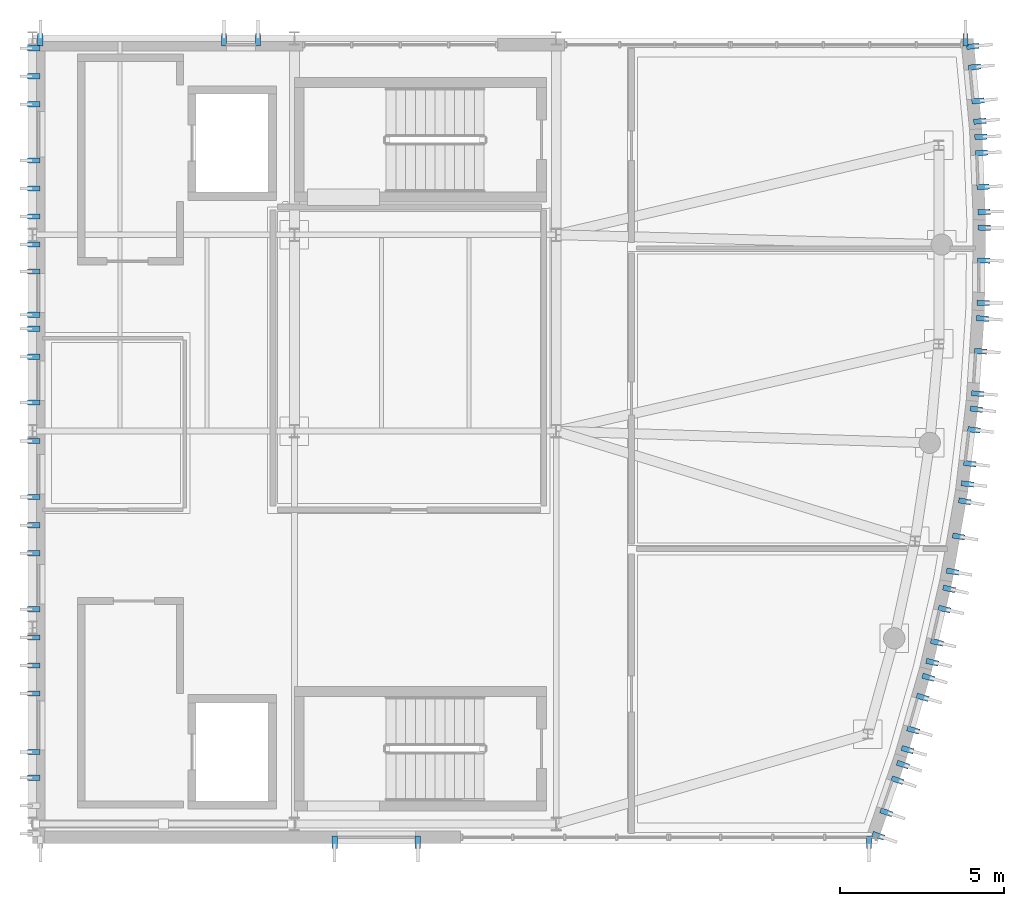
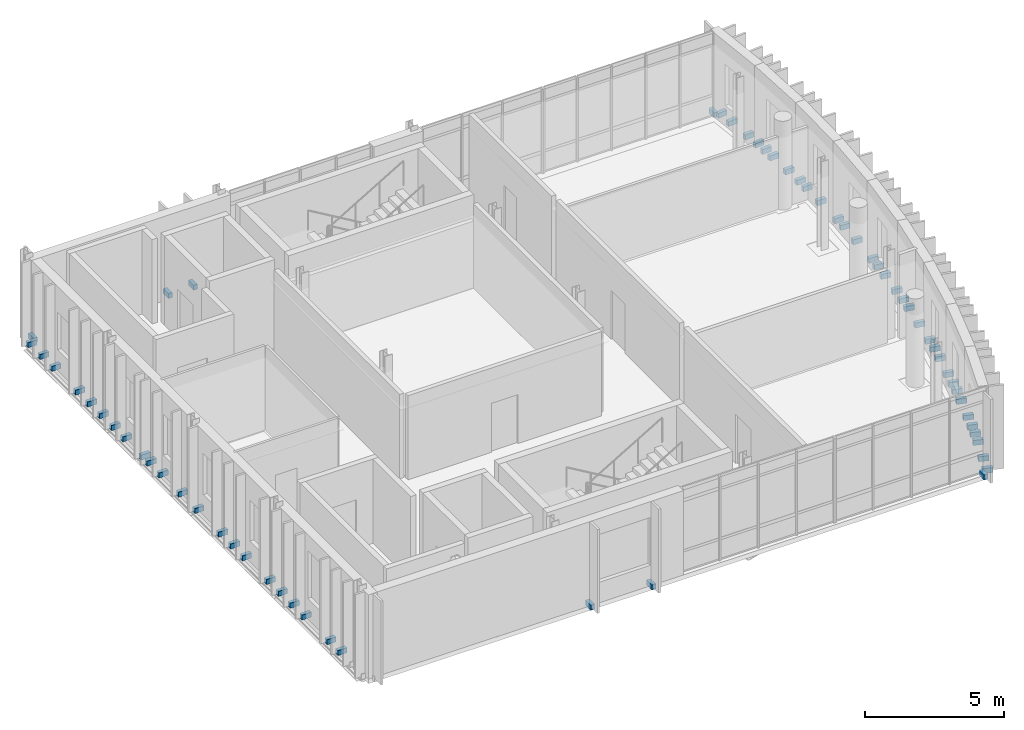
# One storey, part 8 of 10: 62 discrete accessories.
"""IFC4 building model written with IfcOpenShell, lengths in metres."""

from ifc_helpers import new_model, si_unit, direction, frame, origin, origin_2d, place, context, subcontext, project, spatial, rectangle, extrude, material, type_object, element, save


model = new_model("IFC4")

# Units and contexts
model_context = context("Model", 3, precision=1e-05, world=origin(), true_north=direction((0.0, 1.0)))
body_context = subcontext(model_context, "Body", "Model", "MODEL_VIEW")
ifc_project = project(units=[si_unit("LENGTHUNIT", "METRE"), si_unit("AREAUNIT", "SQUARE_METRE"), si_unit("VOLUMEUNIT", "CUBIC_METRE"), si_unit("PLANEANGLEUNIT", "RADIAN"), si_unit("MASSUNIT", "GRAM", prefix="KILO")], contexts=[model_context])

# Site, building, storey
site_placement = place(None, origin())
site = spatial("IfcSite", under=ifc_project, at=site_placement, CompositionType="ELEMENT")
building_placement = place(site_placement, origin())
building = spatial("IfcBuilding", under=site, at=building_placement, Name="Cymarion Research Institute", CompositionType="ELEMENT")
storey_placement = place(building_placement, frame((0.0, 0.0, 38.39990234375)))
storey = spatial("IfcBuildingStorey", under=building, at=storey_placement, Name="L09", CompositionType="ELEMENT", Elevation=38.39990234375)

# Discrete accessories
ifc_material = material(Name="Steel S355", Category="steel")
discrete_accessory_type = type_object("IfcDiscreteAccessoryType", Name="STAINLESS STEEL FACADE FIN BRACKET FBK1", PredefinedType="BRACKET", material=ifc_material)
for number, where, z_axis, x_axis, name in (
    (1, (147.8310546875, 4.93994140625, -0.08984375), (0.0, 0.0, 1.0), (0.0, -1.0, 0.0), "L09 V1 precast fin anchor bracket #798"),
    (2, (150.37109375, 4.93994140625, -0.08984375), (0.0, 0.0, 1.0), (0.0, -1.0, 0.0), "L09 V1 precast fin anchor bracket #799"),
    (3, (164.159912109375, 4.93994140625, -0.08984375), (0.0, 0.0, 1.0), (0.0, -1.0, 0.0), "L09 V1 precast fin anchor bracket #800"),
    (4, (164.440673828125, 5.139892578125, -0.08984375), (0.0, 0.0, 1.0), (0.945120113509, -0.326723080054, 0.0), "L09 V1 precast fin anchor bracket #801"),
    (5, (164.6875, 5.85400390625, -0.08984375), (0.0, 0.0, 1.0), (0.945120113509, -0.326723080054, 0.0), "L09 V1 precast fin anchor bracket #802"),
    (6, (165.02734375, 6.8369140625, -0.08984375), (0.0, 0.0, 1.0), (0.945120113509, -0.326723080054, 0.0), "L09 V1 precast fin anchor bracket #803"),
    (7, (165.19189453125, 7.31298828125, -0.08984375), (0.0, 0.0, 1.0), (0.945120113509, -0.326723080054, 0.0), "L09 V1 precast fin anchor bracket #804"),
    (8, (165.3359375, 7.768310546875, -0.08984375), (0.0, 0.0, 1.0), (0.961213573504, -0.275805123434, 0.0), "L09 V1 precast fin anchor bracket #805"),
    (9, (165.508056640625, 8.3681640625, -0.08984375), (0.0, 0.0, 1.0), (0.961213573504, -0.275805123434, 0.0), "L09 V1 precast fin anchor bracket #806"),
    (10, (165.794921875, 9.367919921875, -0.08984375), (0.0, 0.0, 1.0), (0.961213573504, -0.275805123434, 0.0), "L09 V1 precast fin anchor bracket #807"),
    (11, (165.97021484375, 9.978515625, -0.08984375), (0.0, 0.0, 1.0), (0.961213573504, -0.275805123434, 0.0), "L09 V1 precast fin anchor bracket #808"),
    (12, (166.089599609375, 10.44091796875, -0.08984375), (0.0, 0.0, 1.0), (0.974566000575, -0.224100670509, 0.0), "L09 V1 precast fin anchor bracket #809"),
    (13, (166.2294921875, 11.049072265625, -0.08984375), (0.0, 0.0, 1.0), (0.974566000575, -0.224100670509, 0.0), "L09 V1 precast fin anchor bracket #810"),
    (14, (166.46240234375, 12.062744140625, -0.08984375), (0.0, 0.0, 1.0), (0.974566000575, -0.224100670509, 0.0), "L09 V1 precast fin anchor bracket #811"),
    (15, (166.604736328125, 12.681640625, -0.08984375), (0.0, 0.0, 1.0), (0.974566000575, -0.224100670509, 0.0), "L09 V1 precast fin anchor bracket #812"),
    (16, (166.709716796875, 13.208984375, -0.08984375), (0.0, 0.0, 1.0), (0.985139318439, -0.171757163649, 0.0), "L09 V1 precast fin anchor bracket #813"),
    (17, (166.896728515625, 14.282470703125, -0.08984375), (0.0, 0.0, 1.0), (0.985139318439, -0.171757163649, 0.0), "L09 V1 precast fin anchor bracket #814"),
    (18, (167.083740234375, 15.35595703125, -0.08984375), (0.0, 0.0, 1.0), (0.985139318439, -0.171757163649, 0.0), "L09 V1 precast fin anchor bracket #815"),
    (19, (167.16357421875, 15.8876953125, -0.08984375), (0.0, 0.0, 1.0), (0.992924116831, -0.118750571435, 0.0), "L09 V1 precast fin anchor bracket #816"),
    (20, (167.237548828125, 16.507080078125, -0.08984375), (0.0, 0.0, 1.0), (0.992924116831, -0.118750571435, 0.0), "L09 V1 precast fin anchor bracket #817"),
    (21, (167.361083984375, 17.539794921875, -0.08984375), (0.0, 0.0, 1.0), (0.992924116831, -0.118750571435, 0.0), "L09 V1 precast fin anchor bracket #818"),
    (22, (167.436767578125, 18.170654296875, -0.08984375), (0.0, 0.0, 1.0), (0.992924116831, -0.118750571435, 0.0), "L09 V1 precast fin anchor bracket #819"),
    (23, (167.480712890625, 18.646240234375, -0.08984375), (0.0, 0.0, 1.0), (0.997847493041, -0.06557728747, 0.0), "L09 V1 precast fin anchor bracket #820"),
    (24, (167.565673828125, 19.9404296875, -0.08984375), (0.0, 0.0, 1.0), (0.997847493041, -0.06557728747, 0.0), "L09 V1 precast fin anchor bracket #821"),
    (25, (167.631591796875, 20.940673828125, -0.08984375), (0.0, 0.0, 1.0), (0.997847493041, -0.06557728747, 0.0), "L09 V1 precast fin anchor bracket #822"),
    (26, (167.64990234375, 21.41796875, -0.08984375), (0.0, 0.0, 1.0), (0.99992536966, -0.012217000835, 0.0), "L09 V1 precast fin anchor bracket #823"),
    (27, (167.665771484375, 22.7119140625, -0.08984375), (0.0, 0.0, 1.0), (0.99992536966, -0.012217000835, 0.0), "L09 V1 precast fin anchor bracket #824"),
    (28, (167.677978515625, 23.716796875, -0.08984375), (0.0, 0.0, 1.0), (0.99992536966, -0.012217000835, 0.0), "L09 V1 precast fin anchor bracket #825"),
    (29, (167.671142578125, 24.194580078125, -0.08984375), (0.0, 0.0, 1.0), (0.999144619181, 0.041352508522, 0.0), "L09 V1 precast fin anchor bracket #826"),
    (30, (167.639404296875, 24.96484375, -0.08984375), (0.0, 0.0, 1.0), (0.999144619181, 0.041352508522, 0.0), "L09 V1 precast fin anchor bracket #827"),
    (31, (167.596435546875, 26.00390625, -0.08984375), (0.0, 0.0, 1.0), (0.999144619181, 0.041352508522, 0.0), "L09 V1 precast fin anchor bracket #828"),
    (32, (167.576171875, 26.49169921875, -0.08984375), (0.0, 0.0, 1.0), (0.999144619181, 0.041352508522, 0.0), "L09 V1 precast fin anchor bracket #829"),
    (33, (167.543701171875, 26.96826171875, -0.08984375), (0.0, 0.0, 1.0), (0.995512553138, 0.09462957542, 0.0), "L09 V1 precast fin anchor bracket #830"),
    (34, (167.48486328125, 27.589599609375, -0.08984375), (0.0, 0.0, 1.0), (0.995512553138, 0.09462957542, 0.0), "L09 V1 precast fin anchor bracket #831"),
    (35, (167.386474609375, 28.625, -0.08984375), (0.0, 0.0, 1.0), (0.995512553138, 0.09462957542, 0.0), "L09 V1 precast fin anchor bracket #832"),
    (36, (167.326416015625, 29.25732421875, -0.08984375), (0.0, 0.0, 1.0), (0.995512553138, 0.09462957542, 0.0), "L09 V1 precast fin anchor bracket #833"),
    (37, (167.103515625, 29.4599609375, -0.08984375), (0.0, 0.0, 1.0), (0.0, 1.0, 0.0), "L09 V1 precast fin anchor bracket #834"),
    (38, (145.489013671875, 29.4599609375, -0.08984375), (0.0, 0.0, 1.0), (0.0, 1.0, 0.0), "L09 V1 precast fin anchor bracket #835"),
    (39, (144.448974609375, 29.4599609375, -0.08984375), (0.0, 0.0, 1.0), (0.0, 1.0, 0.0), "L09 V1 precast fin anchor bracket #836"),
    (40, (138.840087890625, 29.4599609375, -0.08984375), (0.0, 0.0, 1.0), (0.0, 1.0, 0.0), "L09 V1 precast fin anchor bracket #837"),
    (41, (138.639892578125, 29.199951171875, -0.08984375), (0.0, 0.0, 1.0), (-1.0, 0.0, 0.0), "L09 V1 precast fin anchor bracket #838"),
    (42, (138.639892578125, 28.343017578125, -0.08984375), (0.0, 0.0, 1.0), (-1.0, 0.0, 0.0), "L09 V1 precast fin anchor bracket #839"),
    (43, (138.639892578125, 27.485595703125, -0.08984375), (0.0, 0.0, 1.0), (-1.0, 0.0, 0.0), "L09 V1 precast fin anchor bracket #840"),
    (44, (138.639892578125, 25.771484375, -0.08984375), (0.0, 0.0, 1.0), (-1.0, 0.0, 0.0), "L09 V1 precast fin anchor bracket #841"),
    (45, (138.639892578125, 24.914306640625, -0.08984375), (0.0, 0.0, 1.0), (-1.0, 0.0, 0.0), "L09 V1 precast fin anchor bracket #842"),
    (46, (138.639892578125, 24.05712890625, -0.08984375), (0.0, 0.0, 1.0), (-1.0, 0.0, 0.0), "L09 V1 precast fin anchor bracket #843"),
    (47, (138.639892578125, 23.199951171875, -0.08984375), (0.0, 0.0, 1.0), (-1.0, 0.0, 0.0), "L09 V1 precast fin anchor bracket #844"),
    (48, (138.639892578125, 22.3798828125, -0.08984375), (0.0, 0.0, 1.0), (-1.0, 0.0, 0.0), "L09 V1 precast fin anchor bracket #845"),
    (49, (138.639892578125, 21.06005859375, -0.08984375), (0.0, 0.0, 1.0), (-1.0, 0.0, 0.0), "L09 V1 precast fin anchor bracket #846"),
    (50, (138.639892578125, 20.628662109375, -0.08984375), (0.0, 0.0, 1.0), (-1.0, 0.0, 0.0), "L09 V1 precast fin anchor bracket #847"),
    (51, (138.639892578125, 19.771484375, -0.08984375), (0.0, 0.0, 1.0), (-1.0, 0.0, 0.0), "L09 V1 precast fin anchor bracket #848"),
    (52, (138.639892578125, 18.3798828125, -0.08984375), (0.0, 0.0, 1.0), (-1.0, 0.0, 0.0), "L09 V1 precast fin anchor bracket #849"),
    (53, (138.639892578125, 17.199951171875, -0.08984375), (0.0, 0.0, 1.0), (-1.0, 0.0, 0.0), "L09 V1 precast fin anchor bracket #850"),
    (54, (138.639892578125, 15.485595703125, -0.08984375), (0.0, 0.0, 1.0), (-1.0, 0.0, 0.0), "L09 V1 precast fin anchor bracket #851"),
    (55, (138.639892578125, 14.628662109375, -0.08984375), (0.0, 0.0, 1.0), (-1.0, 0.0, 0.0), "L09 V1 precast fin anchor bracket #852"),
    (56, (138.639892578125, 13.771484375, -0.08984375), (0.0, 0.0, 1.0), (-1.0, 0.0, 0.0), "L09 V1 precast fin anchor bracket #853"),
    (57, (138.639892578125, 12.05712890625, -0.08984375), (0.0, 0.0, 1.0), (-1.0, 0.0, 0.0), "L09 V1 precast fin anchor bracket #854"),
    (58, (138.639892578125, 11.199951171875, -0.08984375), (0.0, 0.0, 1.0), (-1.0, 0.0, 0.0), "L09 V1 precast fin anchor bracket #855"),
    (59, (138.639892578125, 10.343017578125, -0.08984375), (0.0, 0.0, 1.0), (-1.0, 0.0, 0.0), "L09 V1 precast fin anchor bracket #856"),
    (60, (138.639892578125, 9.485595703125, -0.08984375), (0.0, 0.0, 1.0), (-1.0, 0.0, 0.0), "L09 V1 precast fin anchor bracket #857"),
    (61, (138.639892578125, 7.699951171875, -0.08984375), (0.0, 0.0, 1.0), (-1.0, 0.0, 0.0), "L09 V1 precast fin anchor bracket #858"),
    (62, (138.639892578125, 6.914306640625, -0.08984375), (0.0, 0.0, 1.0), (-1.0, 0.0, 0.0), "L09 V1 precast fin anchor bracket #859"),
):
    element("IfcDiscreteAccessory", number, at=place(storey_placement, frame(where, z_axis=z_axis, x_axis=x_axis)), inside=storey, type_object=discrete_accessory_type, Name=name, PredefinedType="BRACKET", context=body_context, shape_type="SweptSolid", body=[
        extrude(rectangle(XDim=0.3798828125, YDim=0.159912109375, at=origin_2d()), origin(), (0.0, 0.0, 1.0), 0.219970703125),
    ])

save(model, "model.ifc")
